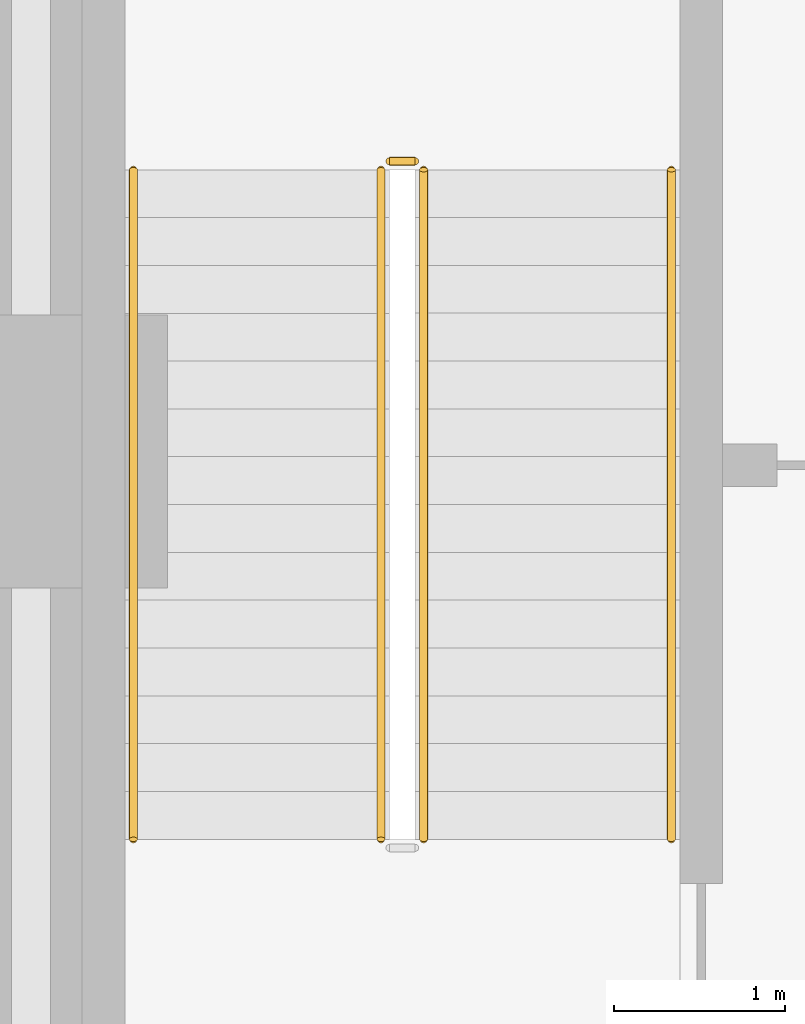
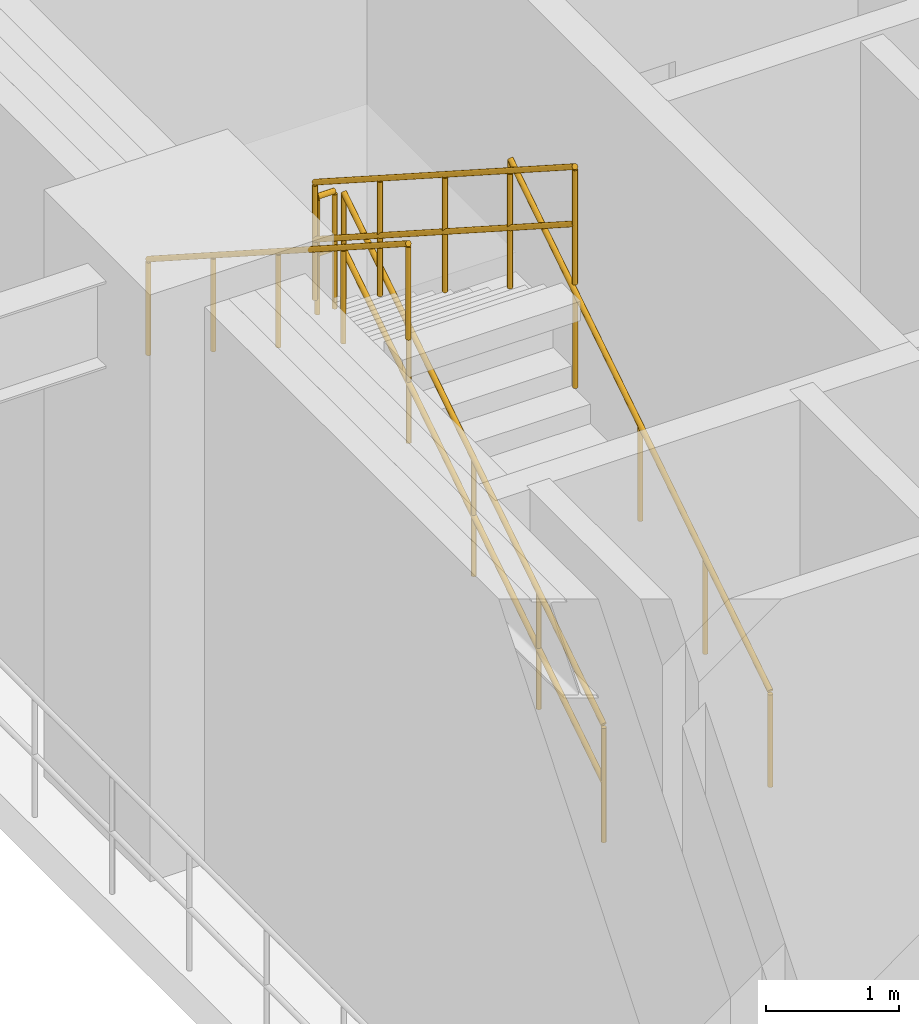
# One storey, part 11 of 13: 5 railings.
"""IFC4 building model written with IfcOpenShell, lengths in metres."""

from ifc_helpers import new_model, si_unit, direction, frame, origin, origin_2d, place, context, subcontext, project, spatial, circle, extrude, material, type_object, element, save


model = new_model("IFC4")

# Units and contexts
model_context = context("Model", 3, precision=1e-05, world=origin(), true_north=direction((0.0, 1.0)))
body_context = subcontext(model_context, "Body", "Model", "MODEL_VIEW")
ifc_project = project(units=[si_unit("LENGTHUNIT", "METRE"), si_unit("AREAUNIT", "SQUARE_METRE"), si_unit("VOLUMEUNIT", "CUBIC_METRE"), si_unit("PLANEANGLEUNIT", "RADIAN"), si_unit("MASSUNIT", "GRAM", prefix="KILO")], contexts=[model_context])

# Site, building, storey
site_placement = place(None, origin())
site = spatial("IfcSite", under=ifc_project, at=site_placement, CompositionType="ELEMENT")
building_placement = place(site_placement, origin())
building = spatial("IfcBuilding", under=site, at=building_placement, Name="Nerrivon Quay Data Exchange", CompositionType="ELEMENT")
storey_placement = place(building_placement, origin())
storey = spatial("IfcBuildingStorey", under=building, at=storey_placement, Name="L00", CompositionType="ELEMENT", Elevation=0.0)

# Railings
ifc_material = material(Name="Steel Grade C350L0 (350 MPa)", Category="steel")
railing_type_1 = type_object("IfcRailingType", Name="RAIL-HAND-HR1", PredefinedType="HANDRAIL", material=ifc_material)
railing_1_placement = place(storey_placement, frame((12.14990234375, 31.330078125, 0.179931640625)))
element("IfcRailing", 1, at=railing_1_placement, inside=storey, type_object=railing_type_1, Name="L00 ST01 stair handrail 1", PredefinedType="HANDRAIL", context=body_context, shape_type="SweptSolid", body=[
    extrude(circle(Radius=0.02392578125, at=origin_2d()), frame((0.0, 0.0, 0.8759765625), z_axis=(0.0, 0.841171666519, 0.540768182723), x_axis=(-1.0, 0.0, 0.0)), (0.0, 0.0, 1.0), 4.66015625),
    extrude(circle(Radius=0.02099609375, at=origin_2d()), origin(), (0.0, 0.0, 1.0), 0.851806640625),
    extrude(circle(Radius=0.02099609375, at=origin_2d()), frame((0.0, 0.97998046875, 0.6298828125)), (0.0, 0.0, 1.0), 0.851806640625),
    extrude(circle(Radius=0.02099609375, at=origin_2d()), frame((0.0, 1.9599609375, 1.260009765625)), (0.0, 0.0, 1.0), 0.851806640625),
    extrude(circle(Radius=0.02099609375, at=origin_2d()), frame((0.0, 2.93994140625, 1.89013671875)), (0.0, 0.0, 1.0), 0.851806640625),
    extrude(circle(Radius=0.02099609375, at=origin_2d()), frame((0.0, 3.919921875, 2.52001953125)), (0.0, 0.0, 1.0), 0.851806640625),
])
railing_2_placement = place(storey_placement, frame((9.0, 35.25, 2.8798828125)))
element("IfcRailing", 2, at=railing_2_placement, inside=storey, type_object=railing_type_1, Name="L00 ST01 stair handrail 2", PredefinedType="HANDRAIL", context=body_context, shape_type="SweptSolid", body=[
    extrude(circle(Radius=0.02392578125, at=origin_2d()), frame((0.0, 0.0, 0.8759765625), z_axis=(0.0, -0.841171666519, 0.540768182723), x_axis=(1.0, 0.0, 0.0)), (0.0, 0.0, 1.0), 4.66015625),
    extrude(circle(Radius=0.02099609375, at=origin_2d()), origin(), (0.0, 0.0, 1.0), 0.851806640625),
    extrude(circle(Radius=0.02099609375, at=origin_2d()), frame((0.0, -0.97998046875, 0.6298828125)), (0.0, 0.0, 1.0), 0.851806640625),
    extrude(circle(Radius=0.02099609375, at=origin_2d()), frame((0.0, -1.9599609375, 1.260009765625)), (0.0, 0.0, 1.0), 0.851806640625),
    extrude(circle(Radius=0.02099609375, at=origin_2d()), frame((0.0, -2.93994140625, 1.89013671875)), (0.0, 0.0, 1.0), 0.851806640625),
    extrude(circle(Radius=0.02099609375, at=origin_2d()), frame((0.0, -3.919921875, 2.52001953125)), (0.0, 0.0, 1.0), 0.851806640625),
])
railing_type_2 = type_object("IfcRailingType", Name="RAIL-STAIR-GR1", PredefinedType="BALUSTRADE", material=ifc_material)
railing_3_placement = place(storey_placement, frame((10.699951171875, 31.330078125, 0.179931640625)))
element("IfcRailing", 3, at=railing_3_placement, inside=storey, type_object=railing_type_2, Name="L00 ST01 stair guard 1", PredefinedType="BALUSTRADE", context=body_context, shape_type="SweptSolid", body=[
    extrude(circle(Radius=0.02392578125, at=origin_2d()), frame((0.0, 0.0, 1.076171875), z_axis=(0.0, 0.841171666519, 0.540768182723), x_axis=(-1.0, 0.0, 0.0)), (0.0, 0.0, 1.0), 4.66015625),
    extrude(circle(Radius=0.02392578125, at=origin_2d()), frame((0.0, 0.0, 0.550048828125), z_axis=(0.0, 0.841171666519, 0.540768182723), x_axis=(-1.0, 0.0, 0.0)), (0.0, 0.0, 1.0), 4.66015625),
    extrude(circle(Radius=0.02099609375, at=origin_2d()), origin(), (0.0, 0.0, 1.0), 1.052001953125),
    extrude(circle(Radius=0.02099609375, at=origin_2d()), frame((0.0, 0.97998046875, 0.6298828125)), (0.0, 0.0, 1.0), 1.052001953125),
    extrude(circle(Radius=0.02099609375, at=origin_2d()), frame((0.0, 1.9599609375, 1.260009765625)), (0.0, 0.0, 1.0), 1.052001953125),
    extrude(circle(Radius=0.02099609375, at=origin_2d()), frame((0.0, 2.93994140625, 1.89013671875)), (0.0, 0.0, 1.0), 1.052001953125),
    extrude(circle(Radius=0.02099609375, at=origin_2d()), frame((0.0, 3.919921875, 2.52001953125)), (0.0, 0.0, 1.0), 1.052001953125),
])
railing_4_placement = place(storey_placement, frame((10.64990234375, 35.300048828125, 2.699951171875)))
element("IfcRailing", 4, at=railing_4_placement, inside=storey, type_object=railing_type_2, Name="L00 ST01 stair guard 2", PredefinedType="BALUSTRADE", context=body_context, shape_type="SweptSolid", body=[
    extrude(circle(Radius=0.02392578125, at=origin_2d()), frame((0.0, 0.0, 1.076171875), z_axis=(-1.0, 0.0, 0.0), x_axis=(0.0, -1.0, 0.0)), (0.0, 0.0, 1.0), 0.14990234375),
    extrude(circle(Radius=0.02392578125, at=origin_2d()), frame((0.0, 0.0, 0.550048828125), z_axis=(-1.0, 0.0, 0.0), x_axis=(0.0, -1.0, 0.0)), (0.0, 0.0, 1.0), 0.14990234375),
    extrude(circle(Radius=0.02099609375, at=origin_2d()), origin(), (0.0, 0.0, 1.0), 1.052001953125),
    extrude(circle(Radius=0.02099609375, at=origin_2d()), frame((-0.14990234375, 0.0, 0.0)), (0.0, 0.0, 1.0), 1.052001953125),
])
railing_5_placement = place(storey_placement, frame((10.449951171875, 35.25, 2.8798828125)))
element("IfcRailing", 5, at=railing_5_placement, inside=storey, type_object=railing_type_2, Name="L00 ST01 stair guard 3", PredefinedType="BALUSTRADE", context=body_context, shape_type="SweptSolid", body=[
    extrude(circle(Radius=0.02392578125, at=origin_2d()), frame((0.0, 0.0, 1.076171875), z_axis=(0.0, -0.841171666519, 0.540768182723), x_axis=(1.0, 0.0, 0.0)), (0.0, 0.0, 1.0), 4.66015625),
    extrude(circle(Radius=0.02392578125, at=origin_2d()), frame((0.0, 0.0, 0.550048828125), z_axis=(0.0, -0.841171666519, 0.540768182723), x_axis=(1.0, 0.0, 0.0)), (0.0, 0.0, 1.0), 4.66015625),
    extrude(circle(Radius=0.02099609375, at=origin_2d()), origin(), (0.0, 0.0, 1.0), 1.052001953125),
    extrude(circle(Radius=0.02099609375, at=origin_2d()), frame((0.0, -0.97998046875, 0.6298828125)), (0.0, 0.0, 1.0), 1.052001953125),
    extrude(circle(Radius=0.02099609375, at=origin_2d()), frame((0.0, -1.9599609375, 1.260009765625)), (0.0, 0.0, 1.0), 1.052001953125),
    extrude(circle(Radius=0.02099609375, at=origin_2d()), frame((0.0, -2.93994140625, 1.89013671875)), (0.0, 0.0, 1.0), 1.052001953125),
    extrude(circle(Radius=0.02099609375, at=origin_2d()), frame((0.0, -3.919921875, 2.52001953125)), (0.0, 0.0, 1.0), 1.052001953125),
])

save(model, "model.ifc")
